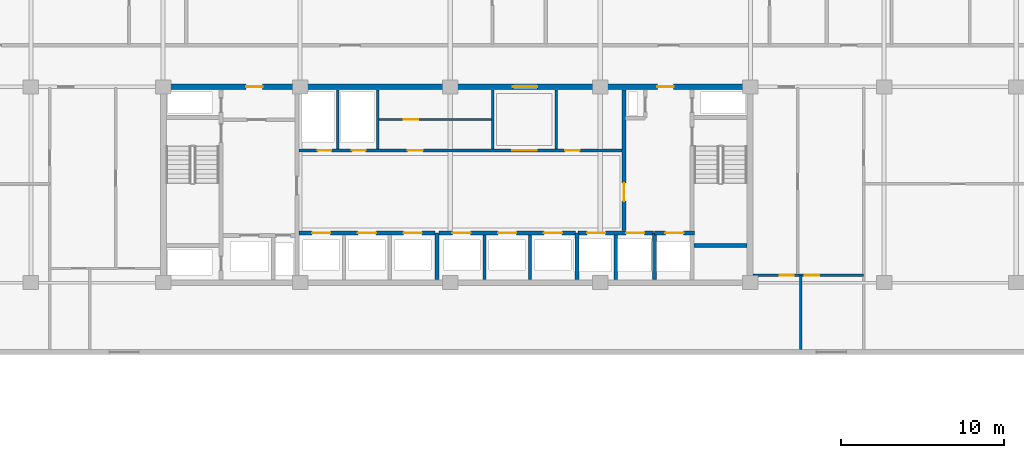
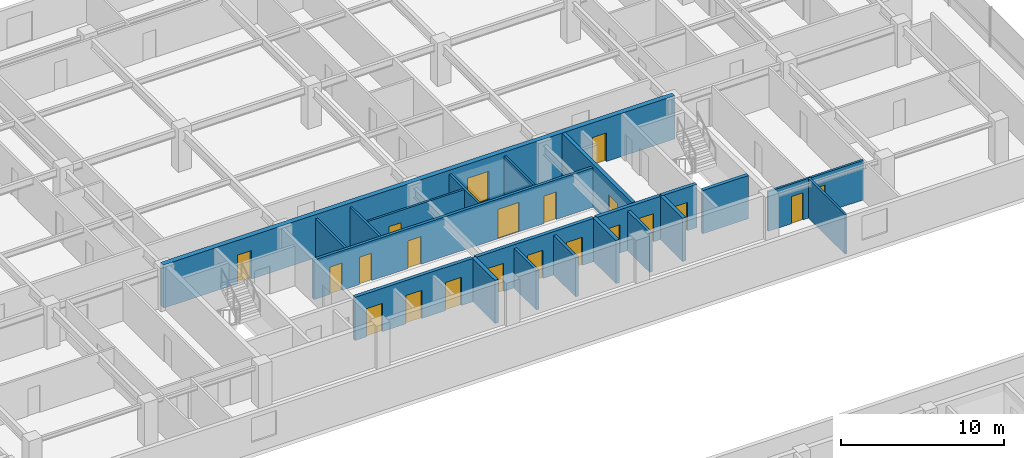
# One storey, part 28 of 38: 21 doors, 21 walls, 21 openings.
"""IFC4 building model written with IfcOpenShell, lengths in metres."""

from ifc_helpers import new_model, si_unit, direction, frame, frame_2d, origin, place, context, subcontext, project, spatial, rectangle, extrude, material, layer, layer_set, type_object, element, fill, save


model = new_model("IFC4")

# Units and contexts
model_context = context("Model", 3, precision=1e-05, world=origin(), true_north=direction((0.0, 1.0)))
body_context = subcontext(model_context, "Body", "Model", "MODEL_VIEW")
ifc_project = project(units=[si_unit("LENGTHUNIT", "METRE"), si_unit("AREAUNIT", "SQUARE_METRE"), si_unit("VOLUMEUNIT", "CUBIC_METRE"), si_unit("PLANEANGLEUNIT", "RADIAN"), si_unit("MASSUNIT", "GRAM", prefix="KILO")], contexts=[model_context])

# Site, building, storey
site_placement = place(None, origin())
site = spatial("IfcSite", under=ifc_project, at=site_placement, CompositionType="ELEMENT")
building_placement = place(site_placement, origin())
building = spatial("IfcBuilding", under=site, at=building_placement, Name="Korimba Cascade Residences", CompositionType="ELEMENT")
storey_placement = place(building_placement, frame((0.0, 0.0, 93.800048828125)))
storey = spatial("IfcBuildingStorey", under=building, at=storey_placement, Name="L26", CompositionType="ELEMENT", Elevation=93.800048828125)

# Wall, openings, doors
ifc_material_1 = material(Name="Concrete C65/80", Category="concrete")
ifc_layer_1 = layer(ifc_material_1, 0.35009765625)
ifc_layer_set_1 = layer_set([ifc_layer_1], Name="Concrete C65/80")
wall_type_1 = type_object("IfcWallType", Name="WAL-CORE-350", PredefinedType="SHEAR", material=ifc_layer_set_1)
wall_1_placement = place(storey_placement, frame((75.949951171875, 67.199951171875, 0.0), z_axis=(0.0, 0.0, 1.0), x_axis=(1.0, 0.0, 0.0)))
wall_1 = element("IfcWall", 1, at=wall_1_placement, inside=storey, type_object=wall_type_1, Name="L26 Core Shear Wall CW-L26-T1-N", PredefinedType="SHEAR", context=body_context, shape_type="SweptSolid", body=[
    extrude(rectangle(XDim=36.300048828125, YDim=0.35009765625, at=frame_2d((18.14990234375, 0.0))), origin(), (0.0, 0.0, 1.0), 3.25),
])
opening_1_placement = place(wall_1_placement, frame((5.25, 0.0, 0.0)))
opening_1 = element("IfcOpeningElement", 2, at=opening_1_placement, cuts=wall_1, Name="Opening D-FD5", PredefinedType="OPENING", context=body_context, shape_type="SweptSolid", body=[
    extrude(rectangle(XDim=1.0, YDim=2.14990234375, at=frame_2d((0.5, 1.074951171875))), frame((0.0, 0.18505859375, 0.0), z_axis=(0.0, -1.0, 0.0), x_axis=(1.0, 0.0, 0.0)), (0.0, 0.0, 1.0), 0.3701171875),
])
opening_2_placement = place(wall_1_placement, frame((21.60009765625, 0.0, 0.0)))
opening_2 = element("IfcOpeningElement", 3, at=opening_2_placement, cuts=wall_1, Name="Opening D-FD8", PredefinedType="OPENING", context=body_context, shape_type="SweptSolid", body=[
    extrude(rectangle(XDim=1.5, YDim=2.199951171875, at=frame_2d((0.75, 1.10009765625))), frame((0.0, 0.18505859375, 0.0), z_axis=(0.0, -1.0, 0.0), x_axis=(1.0, 0.0, 0.0)), (0.0, 0.0, 1.0), 0.3701171875),
])
opening_3_placement = place(wall_1_placement, frame((30.449951171875, 0.0, 0.0)))
opening_3 = element("IfcOpeningElement", 4, at=opening_3_placement, cuts=wall_1, Name="Opening D-FD5", PredefinedType="OPENING", context=body_context, shape_type="SweptSolid", body=[
    extrude(rectangle(XDim=1.0, YDim=2.14990234375, at=frame_2d((0.5, 1.074951171875))), frame((0.0, 0.18505859375, 0.0), z_axis=(0.0, -1.0, 0.0), x_axis=(1.0, 0.0, 0.0)), (0.0, 0.0, 1.0), 0.3701171875),
])
ifc_material_2 = material(Name="Fire-Rated Acoustic Timber Vestibule Door", Category="wood")
door_type_1 = type_object("IfcDoorType", Name="DR-FD90-1000", OperationType="NOTDEFINED", PredefinedType="DOOR", material=ifc_material_2)
door_1_placement = place(opening_1_placement, origin())
door_1 = element("IfcDoor", 5, at=door_1_placement, inside=storey, type_object=door_type_1, Name="L26 T1 West Core Vestibule Fire Door", OperationType="SINGLE_SWING_LEFT", OverallHeight=2.14990234375, OverallWidth=1.0, PredefinedType="DOOR", context=body_context, shape_type="SweptSolid", body=[
    extrude(rectangle(XDim=1.0, YDim=2.14990234375, at=frame_2d((0.5, 1.074951171875))), frame((0.0, 0.02490234375, 0.0), z_axis=(0.0, -1.0, 0.0), x_axis=(1.0, 0.0, 0.0)), (0.0, 0.0, 1.0), 0.050048828125),
])
fill(opening_1, door_1)
door_2_placement = place(opening_3_placement, origin())
door_2 = element("IfcDoor", 6, at=door_2_placement, inside=storey, type_object=door_type_1, Name="L26 T1 East Firefighting Vestibule Fire Door", OperationType="SINGLE_SWING_RIGHT", OverallHeight=2.14990234375, OverallWidth=1.0, PredefinedType="DOOR", context=body_context, shape_type="SweptSolid", body=[
    extrude(rectangle(XDim=1.0, YDim=2.14990234375, at=frame_2d((0.5, 1.074951171875))), frame((0.0, 0.02490234375, 0.0), z_axis=(0.0, -1.0, 0.0), x_axis=(1.0, 0.0, 0.0)), (0.0, 0.0, 1.0), 0.050048828125),
])
fill(opening_3, door_2)
ifc_material_3 = material(Name="Fire-Rated Glazed Lift Lobby Double Door", Category="glass")
door_type_2 = type_object("IfcDoorType", Name="DR-FD90-1500", OperationType="NOTDEFINED", PredefinedType="DOOR", material=ifc_material_3)
door_3_placement = place(opening_2_placement, origin())
door_3 = element("IfcDoor", 7, at=door_3_placement, inside=storey, type_object=door_type_2, Name="L26 T1 Lift Lobby Fire Door", OperationType="DOUBLE_DOOR_SINGLE_SWING", OverallHeight=2.199951171875, OverallWidth=1.5, PredefinedType="DOOR", context=body_context, shape_type="SweptSolid", body=[
    extrude(rectangle(XDim=1.5, YDim=2.199951171875, at=frame_2d((0.75, 1.10009765625))), frame((0.0, 0.02490234375, 0.0), z_axis=(0.0, -1.0, 0.0), x_axis=(1.0, 0.0, 0.0)), (0.0, 0.0, 1.0), 0.050048828125),
])
fill(opening_2, door_3)

# Walls
ifc_material_4 = material(Name="Insulated Acoustic Stud Partition", Category="gypsum")
ifc_layer_2 = layer(ifc_material_4, 0.14990234375)
ifc_layer_set_2 = layer_set([ifc_layer_2], Name="Insulated Acoustic Stud Partition")
wall_type_2 = type_object("IfcWallType", Name="WAL-PART-150", PredefinedType="PARTITIONING", material=ifc_layer_set_2)
for number, where, z_axis, x_axis, name in (
    (8, (86.800048828125, 63.39990234375, 0.0), (0.0, 0.0, 1.0), (0.0, 1.0, 0.0), "L26 Partition Wall CW-L26-T1-ERDIV"),
    (9, (89.25, 63.39990234375, 0.0), (0.0, 0.0, 1.0), (0.0, 1.0, 0.0), "L26 Partition Wall CW-L26-T1-PRDIV"),
):
    element("IfcWall", number, at=place(storey_placement, frame(where, z_axis=z_axis, x_axis=x_axis)), inside=storey, type_object=wall_type_2, Name=name, PredefinedType="PARTITIONING", context=body_context, shape_type="SweptSolid", body=[
        extrude(rectangle(XDim=3.60009765625, YDim=0.14990234375, at=frame_2d((1.800048828125, 0.0))), origin(), (0.0, 0.0, 1.0), 2.969970703125),
    ])

# Wall, opening, door
wall_2_placement = place(storey_placement, frame((89.25, 65.199951171875, 0.0), z_axis=(0.0, 0.0, 1.0), x_axis=(1.0, 0.0, 0.0)))
wall_2 = element("IfcWall", 10, at=wall_2_placement, inside=storey, type_object=wall_type_2, Name="L26 Partition Wall CW-L26-T1-CA2HZ", PredefinedType="PARTITIONING", context=body_context, shape_type="SweptSolid", body=[
    extrude(rectangle(XDim=7.050048828125, YDim=0.14990234375, at=frame_2d((3.52490234375, 0.0))), origin(), (0.0, 0.0, 1.0), 2.969970703125),
])
opening_4_placement = place(wall_2_placement, frame((1.60009765625, 0.0, 0.0)))
opening_4 = element("IfcOpeningElement", 11, at=opening_4_placement, cuts=wall_2, Name="Opening D-IN2", PredefinedType="OPENING", context=body_context, shape_type="SweptSolid", body=[
    extrude(rectangle(XDim=0.8798828125, YDim=2.06005859375, at=frame_2d((0.43994140625, 1.030029296875))), frame((0.0, 0.0849609375, 0.0), z_axis=(0.0, -1.0, 0.0), x_axis=(1.0, 0.0, 0.0)), (0.0, 0.0, 1.0), 0.169921875),
])
ifc_material_5 = material(Name="Acoustic Timber Bedroom Door", Category="wood")
door_type_3 = type_object("IfcDoorType", Name="DR-INT-880", OperationType="NOTDEFINED", PredefinedType="DOOR", material=ifc_material_5)
door_4_placement = place(opening_4_placement, origin())
door_4 = element("IfcDoor", 12, at=door_4_placement, inside=storey, type_object=door_type_3, Name="L26 Pram Store Door", OperationType="SINGLE_SWING_LEFT", OverallHeight=2.06005859375, OverallWidth=0.8798828125, PredefinedType="DOOR", context=body_context, shape_type="SweptSolid", body=[
    extrude(rectangle(XDim=0.8798828125, YDim=2.06005859375, at=frame_2d((0.43994140625, 1.030029296875))), frame((0.0, 0.02490234375, 0.0), z_axis=(0.0, -1.0, 0.0), x_axis=(1.0, 0.0, 0.0)), (0.0, 0.0, 1.0), 0.050048828125),
])
fill(opening_4, door_4)

# Walls
for number, where, z_axis, x_axis, name in (
    (13, (96.300048828125, 63.39990234375, 0.0), (0.0, 0.0, 1.0), (0.0, 1.0, 0.0), "L26 Partition Wall CW-L26-T1-THW"),
    (14, (100.199951171875, 63.39990234375, 0.0), (0.0, 0.0, 1.0), (0.0, 1.0, 0.0), "L26 Partition Wall CW-L26-T1-THE"),
):
    element("IfcWall", number, at=place(storey_placement, frame(where, z_axis=z_axis, x_axis=x_axis)), inside=storey, type_object=wall_type_2, Name=name, PredefinedType="PARTITIONING", context=body_context, shape_type="SweptSolid", body=[
        extrude(rectangle(XDim=3.60009765625, YDim=0.14990234375, at=frame_2d((1.800048828125, 0.0))), origin(), (0.0, 0.0, 1.0), 2.969970703125),
    ])
wall_3_placement = place(storey_placement, frame((115.199951171875, 51.10009765625, 0.0), z_axis=(0.0, 0.0, 1.0), x_axis=(0.0, 1.0, 0.0)))
element("IfcWall", 15, at=wall_3_placement, inside=storey, type_object=wall_type_2, Name="L26 Partition Wall WAL-L26-T1-FE-VS", PredefinedType="PARTITIONING", context=body_context, shape_type="SweptSolid", body=[
    extrude(rectangle(XDim=4.5498046875, YDim=0.14990234375, at=frame_2d((2.27490234375, 0.0))), origin(), (0.0, 0.0, 1.0), 2.969970703125),
])

# Wall, openings, doors
wall_4_placement = place(storey_placement, frame((112.27001953125, 55.64990234375, 0.0), z_axis=(0.0, 0.0, 1.0), x_axis=(1.0, 0.0, 0.0)))
wall_4 = element("IfcWall", 16, at=wall_4_placement, inside=storey, type_object=wall_type_2, Name="L26 Partition Wall WAL-L26-T1-FE-H", PredefinedType="PARTITIONING", context=body_context, shape_type="SweptSolid", body=[
    extrude(rectangle(XDim=6.760009765625, YDim=0.14990234375, at=frame_2d((3.3798828125, 0.0))), origin(), (0.0, 0.0, 1.0), 2.969970703125),
])
opening_5_placement = place(wall_4_placement, frame((1.6396484375, 0.0, 0.0)))
opening_5 = element("IfcOpeningElement", 17, at=opening_5_placement, cuts=wall_4, Name="Opening D-BT1", PredefinedType="OPENING", context=body_context, shape_type="SweptSolid", body=[
    extrude(rectangle(XDim=0.840087890625, YDim=2.0400390625, at=frame_2d((0.419921875, 1.02001953125))), frame((0.0, 0.0849609375, 0.0), z_axis=(0.0, -1.0, 0.0), x_axis=(1.0, 0.0, 0.0)), (0.0, 0.0, 1.0), 0.169921875),
])
opening_6_placement = place(wall_4_placement, frame((3.160400390625, 0.0, 0.0)))
opening_6 = element("IfcOpeningElement", 18, at=opening_6_placement, cuts=wall_4, Name="Opening D-IN2", PredefinedType="OPENING", context=body_context, shape_type="SweptSolid", body=[
    extrude(rectangle(XDim=0.8798828125, YDim=2.06005859375, at=frame_2d((0.43994140625, 1.030029296875))), frame((0.0, 0.0849609375, 0.0), z_axis=(0.0, -1.0, 0.0), x_axis=(1.0, 0.0, 0.0)), (0.0, 0.0, 1.0), 0.169921875),
])
ifc_material_6 = material(Name="Moisture-Resistant Bathroom Timber Door", Category="wood")
door_type_4 = type_object("IfcDoorType", Name="DR-INT-850", OperationType="NOTDEFINED", PredefinedType="DOOR", material=ifc_material_6)
door_5_placement = place(opening_5_placement, origin())
door_5 = element("IfcDoor", 19, at=door_5_placement, inside=storey, type_object=door_type_4, Name="L26-T1-FE Bathroom Door", OperationType="SINGLE_SWING_LEFT", OverallHeight=2.0400390625, OverallWidth=0.840087890625, PredefinedType="DOOR", context=body_context, shape_type="SweptSolid", body=[
    extrude(rectangle(XDim=0.840087890625, YDim=2.0400390625, at=frame_2d((0.419921875, 1.02001953125))), frame((0.0, 0.02490234375, 0.0), z_axis=(0.0, -1.0, 0.0), x_axis=(1.0, 0.0, 0.0)), (0.0, 0.0, 1.0), 0.050048828125),
])
fill(opening_5, door_5)
door_6_placement = place(opening_6_placement, origin())
door_6 = element("IfcDoor", 20, at=door_6_placement, inside=storey, type_object=door_type_3, Name="L26-T1-FE Bedroom Door", OperationType="SINGLE_SWING_RIGHT", OverallHeight=2.06005859375, OverallWidth=0.8798828125, PredefinedType="DOOR", context=body_context, shape_type="SweptSolid", body=[
    extrude(rectangle(XDim=0.8798828125, YDim=2.06005859375, at=frame_2d((0.43994140625, 1.030029296875))), frame((0.0, 0.02490234375, 0.0), z_axis=(0.0, -1.0, 0.0), x_axis=(1.0, 0.0, 0.0)), (0.0, 0.0, 1.0), 0.050048828125),
])
fill(opening_6, door_6)

# Walls
ifc_material_7 = material(Name="Concrete C40/50", Category="concrete")
ifc_layer_3 = layer(ifc_material_7, 0.199951171875)
ifc_layer_set_3 = layer_set([ifc_layer_3], Name="Concrete C40/50")
wall_type_3 = type_object("IfcWallType", Name="WAL-PART-200", PredefinedType="PARTITIONING", material=ifc_layer_set_3)
for number, where, z_axis, x_axis, name in (
    (21, (95.800048828125, 55.39990234375, 0.0), (0.0, 0.0, 1.0), (0.0, 1.0, 0.0), "L26 Partition Wall CW-L26-T1-B2D1"),
    (22, (98.60009765625, 55.39990234375, 0.0), (0.0, 0.0, 1.0), (0.0, 1.0, 0.0), "L26 Partition Wall CW-L26-T1-B2D2"),
    (23, (103.85009765625, 55.39990234375, 0.0), (0.0, 0.0, 1.0), (0.0, 1.0, 0.0), "L26 Partition Wall CW-L26-T1-B3D1"),
):
    element("IfcWall", number, at=place(storey_placement, frame(where, z_axis=z_axis, x_axis=x_axis)), inside=storey, type_object=wall_type_3, Name=name, PredefinedType="PARTITIONING", context=body_context, shape_type="SweptSolid", body=[
        extrude(rectangle(XDim=2.72021484375, YDim=0.199951171875, at=frame_2d((1.360107421875, 0.0))), origin(), (0.0, 0.0, 1.0), 2.969970703125),
    ])

# Wall, openings, doors
wall_5_placement = place(storey_placement, frame((84.419921875, 63.300048828125, 0.0), z_axis=(0.0, 0.0, 1.0), x_axis=(1.0, 0.0, 0.0)))
wall_5 = element("IfcWall", 24, at=wall_5_placement, inside=storey, type_object=wall_type_3, Name="L26 Partition Wall CW-L26-T1-SRVROW", PredefinedType="PARTITIONING", context=body_context, shape_type="SweptSolid", body=[
    extrude(rectangle(XDim=19.830078125, YDim=0.199951171875, at=frame_2d((9.9150390625, 0.0))), origin(), (0.0, 0.0, 1.0), 2.969970703125),
])
opening_7_placement = place(wall_5_placement, frame((1.14990234375, 0.0, 0.0)))
opening_7 = element("IfcOpeningElement", 25, at=opening_7_placement, cuts=wall_5, Name="Opening D-RS1", PredefinedType="OPENING", context=body_context, shape_type="SweptSolid", body=[
    extrude(rectangle(XDim=0.85009765625, YDim=2.050048828125, at=frame_2d((0.425048828125, 1.02490234375))), frame((0.0, 0.10986328125, 0.0), z_axis=(0.0, -1.0, 0.0), x_axis=(1.0, 0.0, 0.0)), (0.0, 0.0, 1.0), 0.219970703125),
])
opening_8_placement = place(wall_5_placement, frame((3.25, 0.0, 0.0)))
opening_8 = element("IfcOpeningElement", 26, at=opening_8_placement, cuts=wall_5, Name="Opening D-RS1", PredefinedType="OPENING", context=body_context, shape_type="SweptSolid", body=[
    extrude(rectangle(XDim=0.85009765625, YDim=2.050048828125, at=frame_2d((0.425048828125, 1.02490234375))), frame((0.0, 0.10986328125, 0.0), z_axis=(0.0, -1.0, 0.0), x_axis=(1.0, 0.0, 0.0)), (0.0, 0.0, 1.0), 0.219970703125),
])
opening_9_placement = place(wall_5_placement, frame((13.080078125, 0.0, 0.0)))
opening_9 = element("IfcOpeningElement", 27, at=opening_9_placement, cuts=wall_5, Name="Opening D-FD8", PredefinedType="OPENING", context=body_context, shape_type="SweptSolid", body=[
    extrude(rectangle(XDim=1.5, YDim=2.199951171875, at=frame_2d((0.75, 1.10009765625))), frame((0.0, 0.10986328125, 0.0), z_axis=(0.0, -1.0, 0.0), x_axis=(1.0, 0.0, 0.0)), (0.0, 0.0, 1.0), 0.219970703125),
])
opening_10_placement = place(wall_5_placement, frame((6.679931640625, 0.0, 0.0)))
opening_10 = element("IfcOpeningElement", 28, at=opening_10_placement, cuts=wall_5, Name="Opening D-IN1", PredefinedType="OPENING", context=body_context, shape_type="SweptSolid", body=[
    extrude(rectangle(XDim=0.919921875, YDim=2.080078125, at=frame_2d((0.4599609375, 1.0400390625))), frame((0.0, 0.10986328125, 0.0), z_axis=(0.0, -1.0, 0.0), x_axis=(1.0, 0.0, 0.0)), (0.0, 0.0, 1.0), 0.219970703125),
])
opening_11_placement = place(wall_5_placement, frame((16.330078125, 0.0, 0.0)))
opening_11 = element("IfcOpeningElement", 29, at=opening_11_placement, cuts=wall_5, Name="Opening D-IN2", PredefinedType="OPENING", context=body_context, shape_type="SweptSolid", body=[
    extrude(rectangle(XDim=0.8798828125, YDim=2.06005859375, at=frame_2d((0.43994140625, 1.030029296875))), frame((0.0, 0.10986328125, 0.0), z_axis=(0.0, -1.0, 0.0), x_axis=(1.0, 0.0, 0.0)), (0.0, 0.0, 1.0), 0.219970703125),
])
ifc_material_8 = material(Name="Fire-Rated Steel Riser Access Door", Category="steel")
door_type_5 = type_object("IfcDoorType", Name="DR-FD60-850", OperationType="NOTDEFINED", PredefinedType="DOOR", material=ifc_material_8)
door_7_placement = place(opening_7_placement, origin())
door_7 = element("IfcDoor", 30, at=door_7_placement, inside=storey, type_object=door_type_5, Name="L26 Electrical Riser Door", OperationType="SINGLE_SWING_RIGHT", OverallHeight=2.050048828125, OverallWidth=0.85009765625, PredefinedType="DOOR", context=body_context, shape_type="SweptSolid", body=[
    extrude(rectangle(XDim=0.85009765625, YDim=2.050048828125, at=frame_2d((0.425048828125, 1.02490234375))), frame((0.0, 0.02490234375, 0.0), z_axis=(0.0, -1.0, 0.0), x_axis=(1.0, 0.0, 0.0)), (0.0, 0.0, 1.0), 0.050048828125),
])
fill(opening_7, door_7)
door_8_placement = place(opening_8_placement, origin())
door_8 = element("IfcDoor", 31, at=door_8_placement, inside=storey, type_object=door_type_5, Name="L26 Plumbing Riser Door", OperationType="SINGLE_SWING_LEFT", OverallHeight=2.050048828125, OverallWidth=0.85009765625, PredefinedType="DOOR", context=body_context, shape_type="SweptSolid", body=[
    extrude(rectangle(XDim=0.85009765625, YDim=2.050048828125, at=frame_2d((0.425048828125, 1.02490234375))), frame((0.0, 0.02490234375, 0.0), z_axis=(0.0, -1.0, 0.0), x_axis=(1.0, 0.0, 0.0)), (0.0, 0.0, 1.0), 0.050048828125),
])
fill(opening_8, door_8)
door_9_placement = place(opening_9_placement, origin())
door_9 = element("IfcDoor", 32, at=door_9_placement, inside=storey, type_object=door_type_2, Name="L26 Lift Lobby Foyer Archway Door", OperationType="DOUBLE_DOOR_SINGLE_SWING", OverallHeight=2.199951171875, OverallWidth=1.5, PredefinedType="DOOR", context=body_context, shape_type="SweptSolid", body=[
    extrude(rectangle(XDim=1.5, YDim=2.199951171875, at=frame_2d((0.75, 1.10009765625))), frame((0.0, 0.02490234375, 0.0), z_axis=(0.0, -1.0, 0.0), x_axis=(1.0, 0.0, 0.0)), (0.0, 0.0, 1.0), 0.050048828125),
])
fill(opening_9, door_9)
door_10_placement = place(opening_11_placement, origin())
door_10 = element("IfcDoor", 33, at=door_10_placement, inside=storey, type_object=door_type_3, Name="L26 Staff WC Door", OperationType="SINGLE_SWING_LEFT", OverallHeight=2.06005859375, OverallWidth=0.8798828125, PredefinedType="DOOR", context=body_context, shape_type="SweptSolid", body=[
    extrude(rectangle(XDim=0.8798828125, YDim=2.06005859375, at=frame_2d((0.43994140625, 1.030029296875))), frame((0.0, 0.02490234375, 0.0), z_axis=(0.0, -1.0, 0.0), x_axis=(1.0, 0.0, 0.0)), (0.0, 0.0, 1.0), 0.050048828125),
])
fill(opening_11, door_10)
ifc_material_9 = material(Name="Acoustic Timber Living Door", Category="wood")
door_type_6 = type_object("IfcDoorType", Name="DR-INT-920", OperationType="NOTDEFINED", PredefinedType="DOOR", material=ifc_material_9)
door_11_placement = place(opening_10_placement, origin())
door_11 = element("IfcDoor", 34, at=door_11_placement, inside=storey, type_object=door_type_6, Name="L26 Locker Room Door", OperationType="SINGLE_SWING_RIGHT", OverallHeight=2.080078125, OverallWidth=0.919921875, PredefinedType="DOOR", context=body_context, shape_type="SweptSolid", body=[
    extrude(rectangle(XDim=0.919921875, YDim=2.080078125, at=frame_2d((0.4599609375, 1.0400390625))), frame((0.0, 0.02490234375, 0.0), z_axis=(0.0, -1.0, 0.0), x_axis=(1.0, 0.0, 0.0)), (0.0, 0.0, 1.0), 0.050048828125),
])
fill(opening_10, door_11)

ifc_material_10 = material(Name="Concrete C50/60", Category="concrete")
ifc_layer_4 = layer(ifc_material_10, 0.25)
ifc_layer_set_4 = layer_set([ifc_layer_4], Name="Concrete C50/60")
wall_type_4 = type_object("IfcWallType", Name="WAL-SHAFT-250", PredefinedType="SHEAR", material=ifc_layer_set_4)
wall_6_placement = place(storey_placement, frame((84.419921875, 58.25, 0.0), z_axis=(0.0, 0.0, 1.0), x_axis=(1.0, 0.0, 0.0)))
wall_6 = element("IfcWall", 35, at=wall_6_placement, inside=storey, type_object=wall_type_4, Name="L26 Core Shear Wall CW-L26-T1-B1N", PredefinedType="SHEAR", context=body_context, shape_type="SweptSolid", body=[
    extrude(rectangle(XDim=8.360107421875, YDim=0.25, at=frame_2d((4.18017578125, 0.0))), origin(), (0.0, 0.0, 1.0), 3.25),
])
opening_12_placement = place(wall_6_placement, frame((0.820068359375, 0.0, 0.0)))
opening_12 = element("IfcOpeningElement", 36, at=opening_12_placement, cuts=wall_6, Name="Opening LD-01", PredefinedType="OPENING", context=body_context, shape_type="SweptSolid", body=[
    extrude(rectangle(XDim=1.1201171875, YDim=2.1201171875, at=frame_2d((0.56005859375, 1.06005859375))), frame((0.0, 0.135009765625, 0.0), z_axis=(0.0, -1.0, 0.0), x_axis=(1.0, 0.0, 0.0)), (0.0, 0.0, 1.0), 0.27001953125),
])
opening_13_placement = place(wall_6_placement, frame((3.6201171875, 0.0, 0.0)))
opening_13 = element("IfcOpeningElement", 37, at=opening_13_placement, cuts=wall_6, Name="Opening LD-01", PredefinedType="OPENING", context=body_context, shape_type="SweptSolid", body=[
    extrude(rectangle(XDim=1.1201171875, YDim=2.1201171875, at=frame_2d((0.56005859375, 1.06005859375))), frame((0.0, 0.135009765625, 0.0), z_axis=(0.0, -1.0, 0.0), x_axis=(1.0, 0.0, 0.0)), (0.0, 0.0, 1.0), 0.27001953125),
])
opening_14_placement = place(wall_6_placement, frame((6.419921875, 0.0, 0.0)))
opening_14 = element("IfcOpeningElement", 38, at=opening_14_placement, cuts=wall_6, Name="Opening LD-01", PredefinedType="OPENING", context=body_context, shape_type="SweptSolid", body=[
    extrude(rectangle(XDim=1.1201171875, YDim=2.1201171875, at=frame_2d((0.56005859375, 1.06005859375))), frame((0.0, 0.135009765625, 0.0), z_axis=(0.0, -1.0, 0.0), x_axis=(1.0, 0.0, 0.0)), (0.0, 0.0, 1.0), 0.27001953125),
])
ifc_material_11 = material(Name="Stainless Steel Lift Landing Sliding Door", Category="steel")
door_type_7 = type_object("IfcDoorType", Name="DR-LIFT-1100", OperationType="NOTDEFINED", PredefinedType="DOOR", material=ifc_material_11)
door_12_placement = place(opening_12_placement, origin())
door_12 = element("IfcDoor", 39, at=door_12_placement, inside=storey, type_object=door_type_7, Name="L26 Lift Landing Door PL-W1", OperationType="SLIDING_TO_LEFT", OverallHeight=2.1201171875, OverallWidth=1.1201171875, PredefinedType="DOOR", context=body_context, shape_type="SweptSolid", body=[
    extrude(rectangle(XDim=1.1201171875, YDim=2.1201171875, at=frame_2d((0.56005859375, 1.06005859375))), frame((0.0, 0.02490234375, 0.0), z_axis=(0.0, -1.0, 0.0), x_axis=(1.0, 0.0, 0.0)), (0.0, 0.0, 1.0), 0.050048828125),
])
fill(opening_12, door_12)
door_13_placement = place(opening_13_placement, origin())
door_13 = element("IfcDoor", 40, at=door_13_placement, inside=storey, type_object=door_type_7, Name="L26 Lift Landing Door PL-W2", OperationType="SLIDING_TO_LEFT", OverallHeight=2.1201171875, OverallWidth=1.1201171875, PredefinedType="DOOR", context=body_context, shape_type="SweptSolid", body=[
    extrude(rectangle(XDim=1.1201171875, YDim=2.1201171875, at=frame_2d((0.56005859375, 1.06005859375))), frame((0.0, 0.02490234375, 0.0), z_axis=(0.0, -1.0, 0.0), x_axis=(1.0, 0.0, 0.0)), (0.0, 0.0, 1.0), 0.050048828125),
])
fill(opening_13, door_13)
door_14_placement = place(opening_14_placement, origin())
door_14 = element("IfcDoor", 41, at=door_14_placement, inside=storey, type_object=door_type_7, Name="L26 Lift Landing Door PL-W3", OperationType="SLIDING_TO_LEFT", OverallHeight=2.1201171875, OverallWidth=1.1201171875, PredefinedType="DOOR", context=body_context, shape_type="SweptSolid", body=[
    extrude(rectangle(XDim=1.1201171875, YDim=2.1201171875, at=frame_2d((0.56005859375, 1.06005859375))), frame((0.0, 0.02490234375, 0.0), z_axis=(0.0, -1.0, 0.0), x_axis=(1.0, 0.0, 0.0)), (0.0, 0.0, 1.0), 0.050048828125),
])
fill(opening_14, door_14)

# Wall
wall_7_placement = place(storey_placement, frame((92.89990234375, 55.39990234375, 0.0), z_axis=(0.0, 0.0, 1.0), x_axis=(0.0, 1.0, 0.0)))
element("IfcWall", 42, at=wall_7_placement, inside=storey, type_object=wall_type_4, Name="L26 Core Shear Wall CW-L26-T1-B12DIV", PredefinedType="SHEAR", context=body_context, shape_type="SweptSolid", body=[
    extrude(rectangle(XDim=2.85009765625, YDim=0.25, at=frame_2d((1.425048828125, 0.0))), origin(), (0.0, 0.0, 1.0), 3.25),
])

# Wall, openings, doors
wall_8_placement = place(storey_placement, frame((93.02001953125, 58.25, 0.0), z_axis=(0.0, 0.0, 1.0), x_axis=(1.0, 0.0, 0.0)))
wall_8 = element("IfcWall", 43, at=wall_8_placement, inside=storey, type_object=wall_type_4, Name="L26 Core Shear Wall CW-L26-T1-B2N", PredefinedType="SHEAR", context=body_context, shape_type="SweptSolid", body=[
    extrude(rectangle(XDim=8.35986328125, YDim=0.25, at=frame_2d((4.179931640625, 0.0))), origin(), (0.0, 0.0, 1.0), 3.25),
])
opening_15_placement = place(wall_8_placement, frame((0.820068359375, 0.0, 0.0)))
opening_15 = element("IfcOpeningElement", 44, at=opening_15_placement, cuts=wall_8, Name="Opening LD-01", PredefinedType="OPENING", context=body_context, shape_type="SweptSolid", body=[
    extrude(rectangle(XDim=1.1201171875, YDim=2.1201171875, at=frame_2d((0.56005859375, 1.06005859375))), frame((0.0, 0.135009765625, 0.0), z_axis=(0.0, -1.0, 0.0), x_axis=(1.0, 0.0, 0.0)), (0.0, 0.0, 1.0), 0.27001953125),
])
opening_16_placement = place(wall_8_placement, frame((3.6201171875, 0.0, 0.0)))
opening_16 = element("IfcOpeningElement", 45, at=opening_16_placement, cuts=wall_8, Name="Opening LD-01", PredefinedType="OPENING", context=body_context, shape_type="SweptSolid", body=[
    extrude(rectangle(XDim=1.1201171875, YDim=2.1201171875, at=frame_2d((0.56005859375, 1.06005859375))), frame((0.0, 0.135009765625, 0.0), z_axis=(0.0, -1.0, 0.0), x_axis=(1.0, 0.0, 0.0)), (0.0, 0.0, 1.0), 0.27001953125),
])
opening_17_placement = place(wall_8_placement, frame((6.419921875, 0.0, 0.0)))
opening_17 = element("IfcOpeningElement", 46, at=opening_17_placement, cuts=wall_8, Name="Opening LD-01", PredefinedType="OPENING", context=body_context, shape_type="SweptSolid", body=[
    extrude(rectangle(XDim=1.1201171875, YDim=2.1201171875, at=frame_2d((0.56005859375, 1.06005859375))), frame((0.0, 0.135009765625, 0.0), z_axis=(0.0, -1.0, 0.0), x_axis=(1.0, 0.0, 0.0)), (0.0, 0.0, 1.0), 0.27001953125),
])
door_15_placement = place(opening_15_placement, origin())
door_15 = element("IfcDoor", 47, at=door_15_placement, inside=storey, type_object=door_type_7, Name="L26 Lift Landing Door PL-W4", OperationType="SLIDING_TO_RIGHT", OverallHeight=2.1201171875, OverallWidth=1.1201171875, PredefinedType="DOOR", context=body_context, shape_type="SweptSolid", body=[
    extrude(rectangle(XDim=1.1201171875, YDim=2.1201171875, at=frame_2d((0.56005859375, 1.06005859375))), frame((0.0, 0.02490234375, 0.0), z_axis=(0.0, -1.0, 0.0), x_axis=(1.0, 0.0, 0.0)), (0.0, 0.0, 1.0), 0.050048828125),
])
fill(opening_15, door_15)
door_16_placement = place(opening_16_placement, origin())
door_16 = element("IfcDoor", 48, at=door_16_placement, inside=storey, type_object=door_type_7, Name="L26 Lift Landing Door PL-W5", OperationType="SLIDING_TO_RIGHT", OverallHeight=2.1201171875, OverallWidth=1.1201171875, PredefinedType="DOOR", context=body_context, shape_type="SweptSolid", body=[
    extrude(rectangle(XDim=1.1201171875, YDim=2.1201171875, at=frame_2d((0.56005859375, 1.06005859375))), frame((0.0, 0.02490234375, 0.0), z_axis=(0.0, -1.0, 0.0), x_axis=(1.0, 0.0, 0.0)), (0.0, 0.0, 1.0), 0.050048828125),
])
fill(opening_16, door_16)
door_17_placement = place(opening_17_placement, origin())
door_17 = element("IfcDoor", 49, at=door_17_placement, inside=storey, type_object=door_type_7, Name="L26 Lift Landing Door PL-W6", OperationType="SLIDING_TO_RIGHT", OverallHeight=2.1201171875, OverallWidth=1.1201171875, PredefinedType="DOOR", context=body_context, shape_type="SweptSolid", body=[
    extrude(rectangle(XDim=1.1201171875, YDim=2.1201171875, at=frame_2d((0.56005859375, 1.06005859375))), frame((0.0, 0.02490234375, 0.0), z_axis=(0.0, -1.0, 0.0), x_axis=(1.0, 0.0, 0.0)), (0.0, 0.0, 1.0), 0.050048828125),
])
fill(opening_17, door_17)

# Wall
wall_9_placement = place(storey_placement, frame((101.47998046875, 55.39990234375, 0.0), z_axis=(0.0, 0.0, 1.0), x_axis=(0.0, 1.0, 0.0)))
element("IfcWall", 50, at=wall_9_placement, inside=storey, type_object=wall_type_4, Name="L26 Core Shear Wall CW-L26-T1-B23DIV", PredefinedType="SHEAR", context=body_context, shape_type="SweptSolid", body=[
    extrude(rectangle(XDim=2.85009765625, YDim=0.25, at=frame_2d((1.425048828125, 0.0))), origin(), (0.0, 0.0, 1.0), 3.25),
])

# Wall, openings, doors
wall_10_placement = place(storey_placement, frame((101.550048828125, 58.25, 0.0), z_axis=(0.0, 0.0, 1.0), x_axis=(1.0, 0.0, 0.0)))
wall_10 = element("IfcWall", 51, at=wall_10_placement, inside=storey, type_object=wall_type_4, Name="L26 Core Shear Wall CW-L26-T1-B3N", PredefinedType="SHEAR", context=body_context, shape_type="SweptSolid", body=[
    extrude(rectangle(XDim=4.599853515625, YDim=0.25, at=frame_2d((2.2998046875, 0.0))), origin(), (0.0, 0.0, 1.0), 3.25),
])
opening_18_placement = place(wall_10_placement, frame((0.5400390625, 0.0, 0.0)))
opening_18 = element("IfcOpeningElement", 52, at=opening_18_placement, cuts=wall_10, Name="Opening LD-01", PredefinedType="OPENING", context=body_context, shape_type="SweptSolid", body=[
    extrude(rectangle(XDim=1.1201171875, YDim=2.1201171875, at=frame_2d((0.56005859375, 1.06005859375))), frame((0.0, 0.135009765625, 0.0), z_axis=(0.0, -1.0, 0.0), x_axis=(1.0, 0.0, 0.0)), (0.0, 0.0, 1.0), 0.27001953125),
])
opening_19_placement = place(wall_10_placement, frame((2.93994140625, 0.0, 0.0)))
opening_19 = element("IfcOpeningElement", 53, at=opening_19_placement, cuts=wall_10, Name="Opening LD-01", PredefinedType="OPENING", context=body_context, shape_type="SweptSolid", body=[
    extrude(rectangle(XDim=1.1201171875, YDim=2.1201171875, at=frame_2d((0.56005859375, 1.06005859375))), frame((0.0, 0.135009765625, 0.0), z_axis=(0.0, -1.0, 0.0), x_axis=(1.0, 0.0, 0.0)), (0.0, 0.0, 1.0), 0.27001953125),
])
door_18_placement = place(opening_18_placement, origin())
door_18 = element("IfcDoor", 54, at=door_18_placement, inside=storey, type_object=door_type_7, Name="L26 Lift Landing Door PL-W7", OperationType="SLIDING_TO_LEFT", OverallHeight=2.1201171875, OverallWidth=1.1201171875, PredefinedType="DOOR", context=body_context, shape_type="SweptSolid", body=[
    extrude(rectangle(XDim=1.1201171875, YDim=2.1201171875, at=frame_2d((0.56005859375, 1.06005859375))), frame((0.0, 0.02490234375, 0.0), z_axis=(0.0, -1.0, 0.0), x_axis=(1.0, 0.0, 0.0)), (0.0, 0.0, 1.0), 0.050048828125),
])
fill(opening_18, door_18)
door_19_placement = place(opening_19_placement, origin())
door_19 = element("IfcDoor", 55, at=door_19_placement, inside=storey, type_object=door_type_7, Name="L26 Lift Landing Door PL-W8", OperationType="SLIDING_TO_LEFT", OverallHeight=2.1201171875, OverallWidth=1.1201171875, PredefinedType="DOOR", context=body_context, shape_type="SweptSolid", body=[
    extrude(rectangle(XDim=1.1201171875, YDim=2.1201171875, at=frame_2d((0.56005859375, 1.06005859375))), frame((0.0, 0.02490234375, 0.0), z_axis=(0.0, -1.0, 0.0), x_axis=(1.0, 0.0, 0.0)), (0.0, 0.0, 1.0), 0.050048828125),
])
fill(opening_19, door_19)

# Wall
wall_11_placement = place(storey_placement, frame((106.219970703125, 55.39990234375, 0.0), z_axis=(0.0, 0.0, 1.0), x_axis=(0.0, 1.0, 0.0)))
element("IfcWall", 56, at=wall_11_placement, inside=storey, type_object=wall_type_4, Name="L26 Core Shear Wall CW-L26-T1-FF2W", PredefinedType="SHEAR", context=body_context, shape_type="SweptSolid", body=[
    extrude(rectangle(XDim=2.85009765625, YDim=0.25, at=frame_2d((1.425048828125, 0.0))), origin(), (0.0, 0.0, 1.0), 3.25),
])

# Wall, opening, door
wall_12_placement = place(storey_placement, frame((106.219970703125, 58.25, 0.0), z_axis=(0.0, 0.0, 1.0), x_axis=(1.0, 0.0, 0.0)))
wall_12 = element("IfcWall", 57, at=wall_12_placement, inside=storey, type_object=wall_type_4, Name="L26 Core Shear Wall CW-L26-T1-FF2N", PredefinedType="SHEAR", context=body_context, shape_type="SweptSolid", body=[
    extrude(rectangle(XDim=2.4599609375, YDim=0.25, at=frame_2d((1.22998046875, 0.0))), origin(), (0.0, 0.0, 1.0), 3.25),
])
opening_20_placement = place(wall_12_placement, frame((0.669921875, 0.0, 0.0)))
opening_20 = element("IfcOpeningElement", 58, at=opening_20_placement, cuts=wall_12, Name="Opening LD-01", PredefinedType="OPENING", context=body_context, shape_type="SweptSolid", body=[
    extrude(rectangle(XDim=1.1201171875, YDim=2.1201171875, at=frame_2d((0.56005859375, 1.06005859375))), frame((0.0, 0.135009765625, 0.0), z_axis=(0.0, -1.0, 0.0), x_axis=(1.0, 0.0, 0.0)), (0.0, 0.0, 1.0), 0.27001953125),
])
door_20_placement = place(opening_20_placement, origin())
door_20 = element("IfcDoor", 59, at=door_20_placement, inside=storey, type_object=door_type_7, Name="L26 Firefighting Lift Landing Door FFL-W2", OperationType="SLIDING_TO_RIGHT", OverallHeight=2.1201171875, OverallWidth=1.1201171875, PredefinedType="DOOR", context=body_context, shape_type="SweptSolid", body=[
    extrude(rectangle(XDim=1.1201171875, YDim=2.1201171875, at=frame_2d((0.56005859375, 1.06005859375))), frame((0.0, 0.02490234375, 0.0), z_axis=(0.0, -1.0, 0.0), x_axis=(1.0, 0.0, 0.0)), (0.0, 0.0, 1.0), 0.050048828125),
])
fill(opening_20, door_20)

wall_13_placement = place(storey_placement, frame((104.35009765625, 58.39990234375, 0.0), z_axis=(0.0, 0.0, 1.0), x_axis=(0.0, 1.0, 0.0)))
wall_13 = element("IfcWall", 60, at=wall_13_placement, inside=storey, type_object=wall_type_4, Name="L26 Core Shear Wall CW-L26-T1-LLEV", PredefinedType="SHEAR", context=body_context, shape_type="SweptSolid", body=[
    extrude(rectangle(XDim=8.60009765625, YDim=0.25, at=frame_2d((4.300048828125, 0.0))), origin(), (0.0, 0.0, 1.0), 3.25),
])
opening_21_placement = place(wall_13_placement, frame((1.800048828125, 0.0, 0.0)))
opening_21 = element("IfcOpeningElement", 61, at=opening_21_placement, cuts=wall_13, Name="Opening D-FD1", PredefinedType="OPENING", context=body_context, shape_type="SweptSolid", body=[
    extrude(rectangle(XDim=1.10009765625, YDim=2.10009765625, at=frame_2d((0.550048828125, 1.050048828125))), frame((0.0, 0.135009765625, 0.0), z_axis=(0.0, -1.0, 0.0), x_axis=(1.0, 0.0, 0.0)), (0.0, 0.0, 1.0), 0.27001953125),
])
ifc_material_12 = material(Name="Fire-Rated Steel Core Door", Category="steel")
door_type_8 = type_object("IfcDoorType", Name="DR-FD120-1100", OperationType="NOTDEFINED", PredefinedType="DOOR", material=ifc_material_12)
door_21_placement = place(opening_21_placement, origin())
door_21 = element("IfcDoor", 62, at=door_21_placement, inside=storey, type_object=door_type_8, Name="L26 Lift Lobby to East Firefighting Lobby Door", OperationType="SINGLE_SWING_LEFT", OverallHeight=2.10009765625, OverallWidth=1.10009765625, PredefinedType="DOOR", context=body_context, shape_type="SweptSolid", body=[
    extrude(rectangle(XDim=1.10009765625, YDim=2.10009765625, at=frame_2d((0.550048828125, 1.050048828125))), frame((0.0, 0.02490234375, 0.0), z_axis=(0.0, -1.0, 0.0), x_axis=(1.0, 0.0, 0.0)), (0.0, 0.0, 1.0), 0.050048828125),
])
fill(opening_21, door_21)

# Wall
wall_14_placement = place(storey_placement, frame((108.659912109375, 57.47509765625, 0.0), z_axis=(0.0, 0.0, 1.0), x_axis=(1.0, 0.0, 0.0)))
element("IfcWall", 63, at=wall_14_placement, inside=storey, type_object=wall_type_4, Name="L26 Core Shear Wall CW-L26-T1-STW2S", PredefinedType="SHEAR", context=body_context, shape_type="SweptSolid", body=[
    extrude(rectangle(XDim=3.239990234375, YDim=0.25, at=frame_2d((1.6201171875, 0.0))), origin(), (0.0, 0.0, 1.0), 3.25),
])

save(model, "model.ifc")
